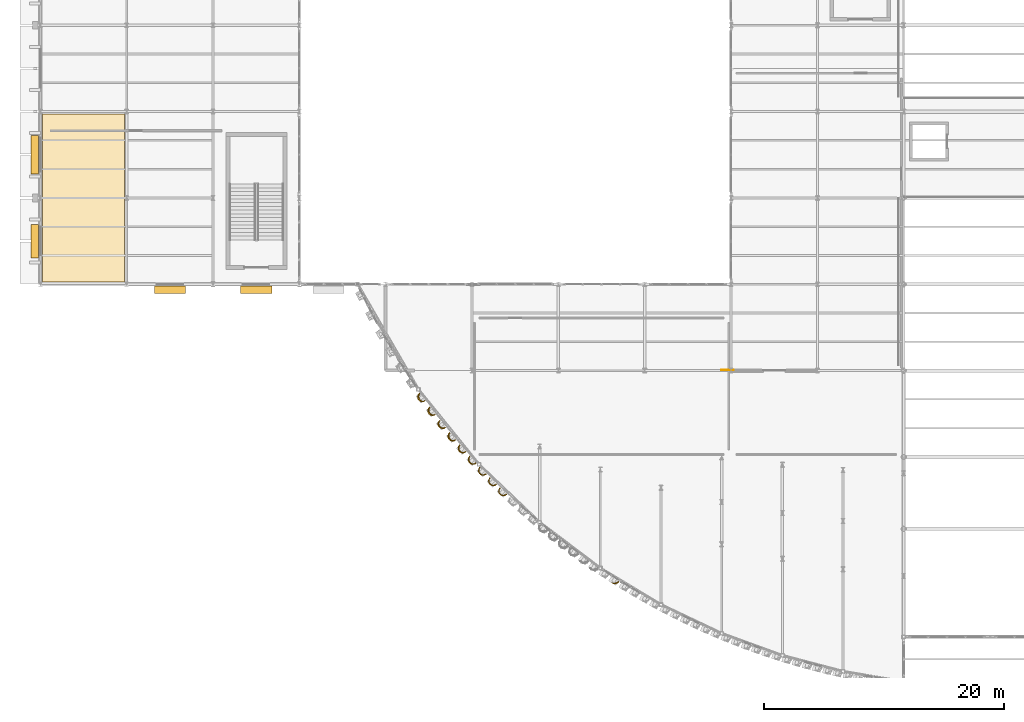
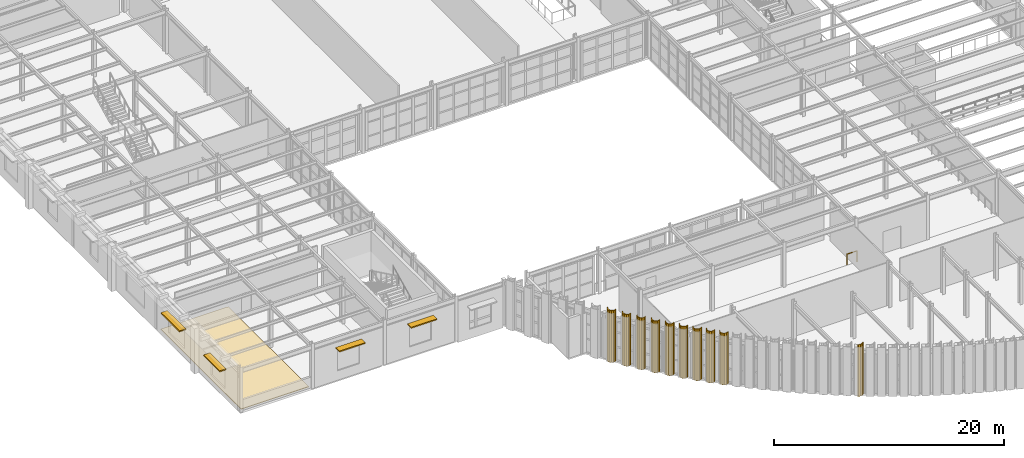
# One storey, part 115 of 126: 11 coverings, 4 shading devices, 1 railing.
"""IFC4 building model written with IfcOpenShell, lengths in metres."""

from ifc_helpers import new_model, si_unit, direction, frame, origin, origin_2d, place, context, subcontext, project, spatial, polyline, rectangle, circle, outline, extrude, material, layer, layer_set, type_object, element, save


model = new_model("IFC4")

# Units and contexts
model_context = context("Model", 3, precision=1e-05, world=origin(), true_north=direction((0.0, 1.0)))
body_context = subcontext(model_context, "Body", "Model", "MODEL_VIEW")
ifc_project = project(units=[si_unit("LENGTHUNIT", "METRE"), si_unit("AREAUNIT", "SQUARE_METRE"), si_unit("VOLUMEUNIT", "CUBIC_METRE"), si_unit("PLANEANGLEUNIT", "RADIAN"), si_unit("MASSUNIT", "GRAM", prefix="KILO")], contexts=[model_context])

# Site, building, storey
site_placement = place(None, origin())
site = spatial("IfcSite", under=ifc_project, at=site_placement, CompositionType="ELEMENT")
building_placement = place(site_placement, origin())
building = spatial("IfcBuilding", under=site, at=building_placement, Name="Solvadek Multi-Sports Hall", CompositionType="ELEMENT")
storey_placement = place(building_placement, frame((0.0, 0.0, 9.60009765625)))
storey = spatial("IfcBuildingStorey", under=building, at=storey_placement, Name="L02", CompositionType="ELEMENT", Elevation=9.60009765625)

# Coverings
ifc_material_1 = material(Name="Perforated champagne-bronze anodised aluminium", Category="aluminium")
ifc_layer_1 = layer(ifc_material_1, 0.06494140625, Name="Perforated champagne-bronze anodised aluminium")
ifc_layer_set_1 = layer_set([ifc_layer_1], Name="Perforated champagne-bronze anodised aluminium")
covering_type_1 = type_object("IfcCoveringType", Name="ENV-COV-FLUTED", PredefinedType="CLADDING", material=ifc_layer_set_1)
covering_1_placement = place(storey_placement, frame((0.0, 0.0, 0.010009765625)))
element("IfcCovering", 1, at=covering_1_placement, inside=storey, type_object=covering_type_1, Name="L02 Perforated Bronze Half-Cylinder Fluted Shell #15", PredefinedType="CLADDING", context=body_context, shape_type="SweptSolid", body=[
    extrude(outline(polyline([(32.099609375, 10.670654296875), (31.954833984375, 10.602783203125), (31.794921875, 10.59521484375), (31.64453125, 10.649658203125), (31.5263671875, 10.757568359375), (31.45849609375, 10.90234375), (31.450927734375, 11.06201171875), (31.50537109375, 11.212646484375), (31.61328125, 11.330810546875), (31.65185546875, 11.2783203125), (31.589111328125, 11.178955078125), (31.56689453125, 11.052490234375), (31.589111328125, 10.91796875), (31.65185546875, 10.7958984375), (31.74560546875, 10.705322265625), (31.8564453125, 10.65966796875), (31.96728515625, 10.665771484375), (32.06103515625, 10.722900390625), (32.099609375, 10.670654296875)])), origin(), (0.0, 0.0, 1.0), 5.489990234375),
])
covering_2_placement = place(storey_placement, frame((0.0, 0.0, 0.010009765625)))
element("IfcCovering", 2, at=covering_2_placement, inside=storey, type_object=covering_type_1, Name="L02 Perforated Bronze Half-Cylinder Fluted Shell #16", PredefinedType="CLADDING", context=body_context, shape_type="SweptSolid", body=[
    extrude(outline(polyline([(32.943115234375, 9.52587890625), (32.798095703125, 9.4580078125), (32.638427734375, 9.450439453125), (32.488037109375, 9.5048828125), (32.369873046875, 9.61279296875), (32.3017578125, 9.757568359375), (32.29443359375, 9.917236328125), (32.348876953125, 10.06787109375), (32.456787109375, 10.18603515625), (32.4951171875, 10.133544921875), (32.4326171875, 10.0341796875), (32.410400390625, 9.90771484375), (32.4326171875, 9.773193359375), (32.4951171875, 9.651123046875), (32.589111328125, 9.560546875), (32.699951171875, 9.514892578125), (32.810546875, 9.52099609375), (32.904541015625, 9.578125), (32.943115234375, 9.52587890625)])), origin(), (0.0, 0.0, 1.0), 5.489990234375),
])
covering_3_placement = place(storey_placement, frame((0.0, 0.0, 0.010009765625)))
element("IfcCovering", 3, at=covering_3_placement, inside=storey, type_object=covering_type_1, Name="L02 Perforated Bronze Half-Cylinder Fluted Shell #19", PredefinedType="CLADDING", context=body_context, shape_type="SweptSolid", body=[
    extrude(outline(polyline([(33.8046875, 8.442626953125), (33.663330078125, 8.367919921875), (33.504150390625, 8.35302734375), (33.351318359375, 8.400146484375), (33.22802734375, 8.502197265625), (33.1533203125, 8.643798828125), (33.138427734375, 8.802978515625), (33.185546875, 8.955810546875), (33.28759765625, 9.0791015625), (33.32861328125, 9.028564453125), (33.261962890625, 8.9248046875), (33.238525390625, 8.79638671875), (33.261962890625, 8.662353515625), (33.32861328125, 8.543212890625), (33.428466796875, 8.45751953125), (33.546142578125, 8.417724609375), (33.6640625, 8.43017578125), (33.763916015625, 8.4931640625), (33.8046875, 8.442626953125)])), origin(), (0.0, 0.0, 1.0), 5.489990234375),
])
covering_4_placement = place(storey_placement, frame((0.0, 0.0, 0.010009765625)))
element("IfcCovering", 4, at=covering_4_placement, inside=storey, type_object=covering_type_1, Name="L02 Perforated Bronze Half-Cylinder Fluted Shell #20", PredefinedType="CLADDING", context=body_context, shape_type="SweptSolid", body=[
    extrude(outline(polyline([(34.648193359375, 7.40478515625), (34.506591796875, 7.330078125), (34.347412109375, 7.315185546875), (34.194580078125, 7.3623046875), (34.0712890625, 7.464599609375), (33.99658203125, 7.60595703125), (33.981689453125, 7.76513671875), (34.02880859375, 7.91796875), (34.131103515625, 8.041259765625), (34.172119140625, 7.99072265625), (34.105224609375, 7.88720703125), (34.081787109375, 7.758544921875), (34.105224609375, 7.62451171875), (34.172119140625, 7.50537109375), (34.271728515625, 7.419677734375), (34.3896484375, 7.3798828125), (34.50732421875, 7.392333984375), (34.607177734375, 7.455322265625), (34.648193359375, 7.40478515625)])), origin(), (0.0, 0.0, 1.0), 5.489990234375),
])
covering_5_placement = place(storey_placement, frame((0.0, 0.0, 0.010009765625)))
element("IfcCovering", 5, at=covering_5_placement, inside=storey, type_object=covering_type_1, Name="L02 Perforated Bronze Half-Cylinder Fluted Shell #23", PredefinedType="CLADDING", context=body_context, shape_type="SweptSolid", body=[
    extrude(outline(polyline([(35.508544921875, 6.42041015625), (35.37060546875, 6.339599609375), (35.212158203125, 6.3173828125), (35.05712890625, 6.35791015625), (34.9296875, 6.4541015625), (34.8486328125, 6.59228515625), (34.82666015625, 6.750732421875), (34.866943359375, 6.905517578125), (34.96337890625, 7.033203125), (35.006591796875, 6.984619140625), (34.936279296875, 6.877197265625), (34.91162109375, 6.746826171875), (34.936279296875, 6.613525390625), (35.006591796875, 6.49755859375), (35.11181640625, 6.416259765625), (35.23583984375, 6.38232421875), (35.360107421875, 6.40087890625), (35.46533203125, 6.468994140625), (35.508544921875, 6.42041015625)])), origin(), (0.0, 0.0, 1.0), 5.489990234375),
])
covering_6_placement = place(storey_placement, frame((0.0, 0.0, 0.010009765625)))
element("IfcCovering", 6, at=covering_6_placement, inside=storey, type_object=covering_type_1, Name="L02 Perforated Bronze Half-Cylinder Fluted Shell #24", PredefinedType="CLADDING", context=body_context, shape_type="SweptSolid", body=[
    extrude(outline(polyline([(36.351806640625, 5.47265625), (36.214111328125, 5.3916015625), (36.055419921875, 5.36962890625), (35.900634765625, 5.409912109375), (35.773193359375, 5.50634765625), (35.692138671875, 5.644287109375), (35.670166015625, 5.802734375), (35.710205078125, 5.95751953125), (35.806884765625, 6.085205078125), (35.85009765625, 6.03662109375), (35.77978515625, 5.92919921875), (35.7548828125, 5.799072265625), (35.77978515625, 5.665771484375), (35.85009765625, 5.549560546875), (35.955078125, 5.468505859375), (36.079345703125, 5.4345703125), (36.20361328125, 5.453125), (36.30859375, 5.521240234375), (36.351806640625, 5.47265625)])), origin(), (0.0, 0.0, 1.0), 5.489990234375),
])
covering_7_placement = place(storey_placement, frame((0.0, 0.0, 0.010009765625)))
element("IfcCovering", 7, at=covering_7_placement, inside=storey, type_object=covering_type_1, Name="L02 Perforated Bronze Half-Cylinder Fluted Shell #27", PredefinedType="CLADDING", context=body_context, shape_type="SweptSolid", body=[
    extrude(outline(polyline([(37.211181640625, 4.572509765625), (37.07666015625, 4.485595703125), (36.919189453125, 4.456787109375), (36.762939453125, 4.490478515625), (36.63134765625, 4.58154296875), (36.54443359375, 4.7158203125), (36.515869140625, 4.873291015625), (36.54931640625, 5.029541015625), (36.640380859375, 5.1611328125), (36.685546875, 5.114501953125), (36.612060546875, 5.00390625), (36.586181640625, 4.872314453125), (36.612060546875, 4.73974609375), (36.685546875, 4.626708984375), (36.7958984375, 4.55029296875), (36.92578125, 4.52197265625), (37.0556640625, 4.546142578125), (37.165771484375, 4.619140625), (37.211181640625, 4.572509765625)])), origin(), (0.0, 0.0, 1.0), 5.489990234375),
])
covering_8_placement = place(storey_placement, frame((0.0, 0.0, 0.010009765625)))
element("IfcCovering", 8, at=covering_8_placement, inside=storey, type_object=covering_type_1, Name="L02 Perforated Bronze Half-Cylinder Fluted Shell #28", PredefinedType="CLADDING", context=body_context, shape_type="SweptSolid", body=[
    extrude(outline(polyline([(38.054443359375, 3.702392578125), (37.920166015625, 3.615478515625), (37.7626953125, 3.586669921875), (37.6064453125, 3.620361328125), (37.474853515625, 3.711181640625), (37.387939453125, 3.845703125), (37.359130859375, 4.003173828125), (37.392822265625, 4.159423828125), (37.48388671875, 4.291015625), (37.529052734375, 4.244384765625), (37.455322265625, 4.1337890625), (37.4296875, 4.001953125), (37.455322265625, 3.86962890625), (37.529052734375, 3.756591796875), (37.63916015625, 3.679931640625), (37.769287109375, 3.651611328125), (37.899169921875, 3.67578125), (38.00927734375, 3.7490234375), (38.054443359375, 3.702392578125)])), origin(), (0.0, 0.0, 1.0), 5.489990234375),
])
covering_9_placement = place(storey_placement, frame((0.0, 0.0, 0.010009765625)))
element("IfcCovering", 9, at=covering_9_placement, inside=storey, type_object=covering_type_1, Name="L02 Perforated Bronze Half-Cylinder Fluted Shell #31", PredefinedType="CLADDING", context=body_context, shape_type="SweptSolid", body=[
    extrude(outline(polyline([(38.91259765625, 2.875244140625), (38.781982421875, 2.783203125), (38.625732421875, 2.747802734375), (38.46826171875, 2.775146484375), (38.3330078125, 2.860595703125), (38.24072265625, 2.991455078125), (38.20556640625, 3.1474609375), (38.23291015625, 3.30517578125), (38.318359375, 3.440185546875), (38.365478515625, 3.3955078125), (38.288818359375, 3.28173828125), (38.261962890625, 3.149169921875), (38.288818359375, 3.017822265625), (38.365478515625, 2.90771484375), (38.480224609375, 2.835693359375), (38.615478515625, 2.81298828125), (38.750732421875, 2.842529296875), (38.865478515625, 2.920166015625), (38.91259765625, 2.875244140625)])), origin(), (0.0, 0.0, 1.0), 5.489990234375),
])
covering_10_placement = place(storey_placement, frame((0.0, 0.0, 0.010009765625)))
element("IfcCovering", 10, at=covering_10_placement, inside=storey, type_object=covering_type_1, Name="L02 Perforated Bronze Half-Cylinder Fluted Shell #52", PredefinedType="CLADDING", context=body_context, shape_type="SweptSolid", body=[
    extrude(outline(polyline([(48.251708984375, -4.405517578125), (48.14013671875, -4.520263671875), (47.993408203125, -4.58349609375), (47.833251953125, -4.585693359375), (47.684814453125, -4.526611328125), (47.570068359375, -4.4150390625), (47.5068359375, -4.26806640625), (47.504638671875, -4.108154296875), (47.563720703125, -3.95947265625), (47.618408203125, -3.994873046875), (47.529541015625, -4.119873046875), (47.498291015625, -4.25439453125), (47.529541015625, -4.378173828125), (47.618408203125, -4.471923828125), (47.751220703125, -4.521728515625), (47.90771484375, -4.52001953125), (48.064453125, -4.466796875), (48.197265625, -4.370361328125), (48.251708984375, -4.405517578125)])), origin(), (0.0, 0.0, 1.0), 5.489990234375),
])
ifc_material_2 = material(Name="SBS elastomeric verdigris roof membrane")
ifc_layer_2 = layer(ifc_material_2, 0.06005859375, Name="SBS elastomeric verdigris roof membrane")
ifc_layer_set_2 = layer_set([ifc_layer_2], Name="SBS elastomeric verdigris roof membrane")
covering_type_2 = type_object("IfcCoveringType", Name="ENV-COV-ROOF60", PredefinedType="ROOFING", material=ifc_layer_set_2)
covering_11_placement = place(storey_placement, origin())
element("IfcCovering", 11, at=covering_11_placement, inside=storey, type_object=covering_type_2, Name="L02 SBS Elastomeric Cool-Roof Membrane #1", PredefinedType="ROOFING", context=body_context, shape_type="SweptSolid", body=[
    extrude(outline(polyline([(0.199951171875, 20.60009765625), (7.0, 20.60009765625), (7.0, 34.60009765625), (0.199951171875, 34.60009765625), (0.199951171875, 20.60009765625)])), origin(), (0.0, 0.0, 1.0), 0.059814453125),
])

# Shading devices
shading_device_type = type_object("IfcShadingDeviceType", Name="ENV-SHD-CHAJJA1", PredefinedType="JALOUSIE", material=ifc_material_1)
shading_device_1_placement = place(storey_placement, frame((-0.469482421875, 24.0, 3.119873046875), z_axis=(0.0, 0.0, 1.0), x_axis=(0.0, 1.0, 0.0)))
element("IfcShadingDevice", 12, at=shading_device_1_placement, inside=storey, type_object=shading_device_type, Name="L02 Chajja Solar Shading Hood #3", PredefinedType="JALOUSIE", context=body_context, shape_type="SweptSolid", body=[
    extrude(rectangle(XDim=2.800048828125, YDim=0.639892578125, at=origin_2d()), origin(), (0.0, 0.0, 1.0), 0.1201171875),
])
shading_device_2_placement = place(storey_placement, frame((-0.469482421875, 31.199951171875, 3.119873046875), z_axis=(0.0, 0.0, 1.0), x_axis=(0.0, 1.0, 0.0)))
element("IfcShadingDevice", 13, at=shading_device_2_placement, inside=storey, type_object=shading_device_type, Name="L02 Chajja Solar Shading Hood #5", PredefinedType="JALOUSIE", context=body_context, shape_type="SweptSolid", body=[
    extrude(rectangle(XDim=3.199951171875, YDim=0.639892578125, at=origin_2d()), origin(), (0.0, 0.0, 1.0), 0.1201171875),
])
for number, where, z_axis, x_axis, name in (
    (14, (10.800048828125, 19.930419921875, 3.419921875), (0.0, 0.0, 1.0), (1.0, 0.0, 0.0), "L02 Chajja Solar Shading Hood #50"),
    (15, (18.0, 19.930419921875, 3.419921875), (0.0, 0.0, 1.0), (1.0, 0.0, 0.0), "L02 Chajja Solar Shading Hood #52"),
):
    element("IfcShadingDevice", number, at=place(storey_placement, frame(where, z_axis=z_axis, x_axis=x_axis)), inside=storey, type_object=shading_device_type, Name=name, PredefinedType="JALOUSIE", context=body_context, shape_type="SweptSolid", body=[
        extrude(rectangle(XDim=2.60009765625, YDim=0.639892578125, at=origin_2d()), origin(), (0.0, 0.0, 1.0), 0.1201171875),
    ])

# Railing
ifc_material_3 = material(Name="Steel E250 (250 MPa)", Category="steel")
railing_type = type_object("IfcRailingType", Name="INT-RAL-GRD115", PredefinedType="BALUSTRADE", material=ifc_material_3)
railing_placement = place(storey_placement, frame((56.800048828125, 13.260009765625, 0.0)))
element("IfcRailing", 16, at=railing_placement, inside=storey, type_object=railing_type, Name="L02 Void Edge Balustrade Guard #26", PredefinedType="BALUSTRADE", context=body_context, shape_type="SweptSolid", body=[
    extrude(circle(Radius=0.02392578125, at=origin_2d()), frame((0.0, 0.0, 1.1259765625), z_axis=(1.0, 0.0, 0.0), x_axis=(0.0, 1.0, 0.0)), (0.0, 0.0, 1.0), 1.0),
    extrude(circle(Radius=0.02099609375, at=origin_2d()), origin(), (0.0, 0.0, 1.0), 1.101806640625),
    extrude(circle(Radius=0.02099609375, at=origin_2d()), frame((1.0, 0.0, 0.0)), (0.0, 0.0, 1.0), 1.101806640625),
])

save(model, "model.ifc")
